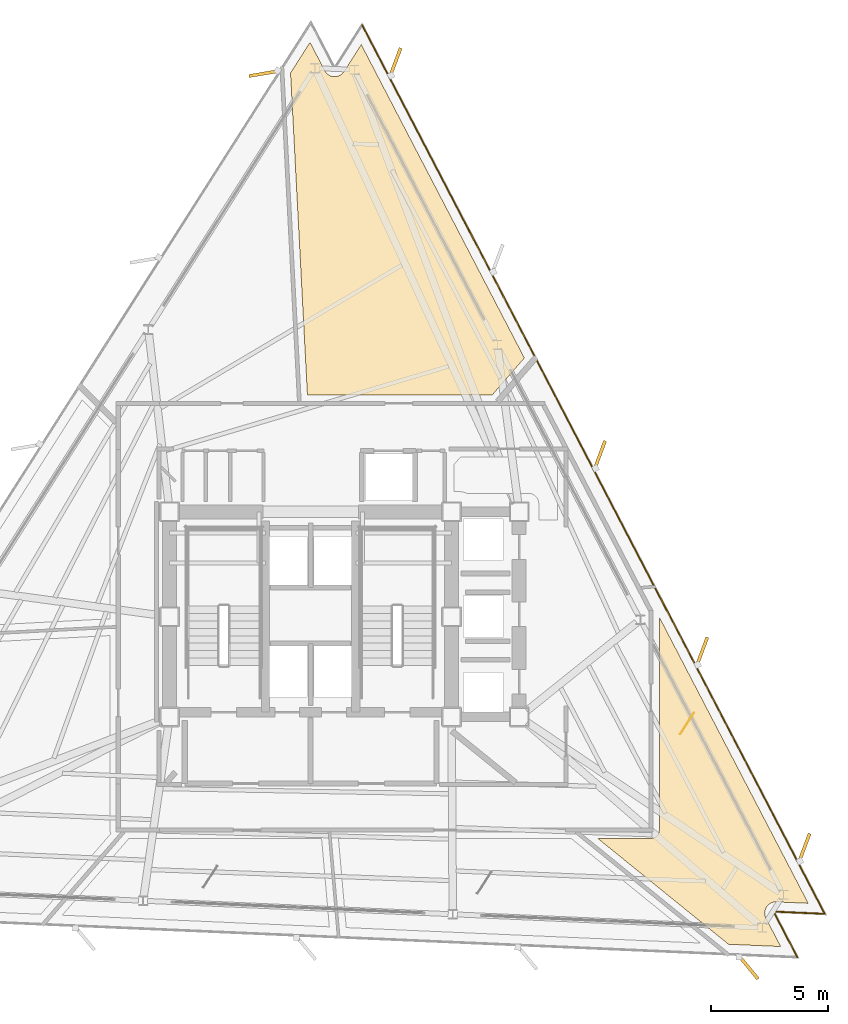
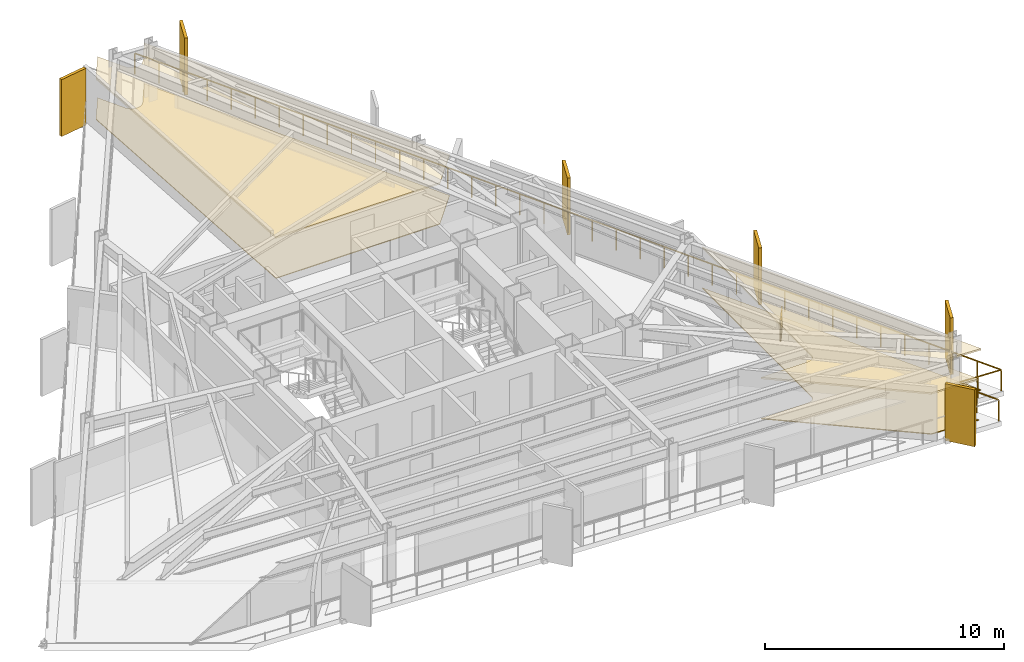
# One storey, part 12 of 12: 6 shading devices, 5 coverings, 1 railing.
"""IFC4 building model written with IfcOpenShell, lengths in metres."""

from ifc_helpers import new_model, si_unit, direction, frame, origin, origin_2d, place, context, subcontext, project, spatial, polyline, rectangle, outline, extrude, material, layer, layer_set, type_object, element, save


model = new_model("IFC4")

# Units and contexts
model_context = context("Model", 3, precision=1e-05, world=origin(), true_north=direction((0.0, 1.0)))
body_context = subcontext(model_context, "Body", "Model", "MODEL_VIEW")
ifc_project = project(units=[si_unit("LENGTHUNIT", "METRE"), si_unit("AREAUNIT", "SQUARE_METRE"), si_unit("VOLUMEUNIT", "CUBIC_METRE"), si_unit("PLANEANGLEUNIT", "RADIAN"), si_unit("MASSUNIT", "GRAM", prefix="KILO")], contexts=[model_context])

# Site, building, storey
site_placement = place(None, origin())
site = spatial("IfcSite", under=ifc_project, at=site_placement, CompositionType="ELEMENT")
building_placement = place(site_placement, origin())
building = spatial("IfcBuilding", under=site, at=building_placement, Name="Rocaltana Carrier Exchange", CompositionType="ELEMENT")
storey_placement = place(building_placement, frame((0.0, 0.0, 128.9599609375)))
storey = spatial("IfcBuildingStorey", under=building, at=storey_placement, Name="L40", CompositionType="ELEMENT", Elevation=128.9599609375)

# Coverings
ifc_material_1 = material(Name="Honed Bogota Sandstone Tile", Category="masonry")
ifc_layer_1 = layer(ifc_material_1, 0.0400390625)
ifc_layer_set_1 = layer_set([ifc_layer_1], Name="Honed Bogota Sandstone Tile")
covering_type_1 = type_object("IfcCoveringType", Name="Honed Stone Lobby Flooring 40", PredefinedType="FLOORING", material=ifc_layer_set_1)
covering_1_placement = place(storey_placement, origin())
element("IfcCovering", 1, at=covering_1_placement, inside=storey, type_object=covering_type_1, Name="L40 Carrier Peering Suite Finish Floor", PredefinedType="FLOORING", context=body_context, shape_type="SweptSolid", body=[
    extrude(outline(polyline([(14.9599609375, -0.01904296875), (21.352294921875, -12.298828125), (19.985107421875, -12.239013671875), (19.97119140625, -12.23876953125), (19.951171875, -12.239013671875), (19.92333984375, -12.240478515625), (19.903564453125, -12.24267578125), (19.8759765625, -12.246826171875), (19.8564453125, -12.2509765625), (19.829345703125, -12.258056640625), (19.810302734375, -12.263916015625), (19.7841796875, -12.273681640625), (19.765869140625, -12.281494140625), (19.740966796875, -12.2939453125), (19.723388671875, -12.303466796875), (19.69970703125, -12.318115234375), (19.683349609375, -12.32958984375), (19.6611328125, -12.3466796875), (19.64599609375, -12.359619140625), (19.62548828125, -12.378662109375), (19.61181640625, -12.392822265625), (19.593505859375, -12.4140625), (19.5810546875, -12.4296875), (19.56494140625, -12.452392578125), (19.55419921875, -12.46923828125), (19.540283203125, -12.493408203125), (19.531494140625, -12.51123046875), (19.52001953125, -12.536865234375), (19.512939453125, -12.555419921875), (19.504150390625, -12.581787109375), (19.498779296875, -12.601318359375), (19.492919921875, -12.62841796875), (19.489501953125, -12.648193359375), (19.486328125, -12.67578125), (19.48486328125, -12.69580078125), (19.484375, -12.7236328125), (19.485107421875, -12.743408203125), (19.4873046875, -12.771240234375), (19.489990234375, -12.791015625), (19.494873046875, -12.818603515625), (19.49951171875, -12.837890625), (19.507080078125, -12.86474609375), (19.513671875, -12.8837890625), (19.52392578125, -12.90966796875), (19.5322265625, -12.927734375), (19.538330078125, -12.940185546875), (20.17041015625, -14.154296875), (17.93017578125, -14.056396484375), (12.31591796875, -9.510009765625), (14.60009765625, -9.510009765625), (14.61376953125, -9.509765625), (14.62158203125, -9.50927734375), (14.64892578125, -9.506591796875), (14.65673828125, -9.50537109375), (14.68359375, -9.5), (14.69140625, -9.498291015625), (14.717529296875, -9.490234375), (14.724853515625, -9.487548828125), (14.750244140625, -9.47705078125), (14.75732421875, -9.4736328125), (14.78173828125, -9.460693359375), (14.788330078125, -9.456787109375), (14.811279296875, -9.44140625), (14.8173828125, -9.436767578125), (14.8388671875, -9.419189453125), (14.844482421875, -9.4140625), (14.864013671875, -9.39453125), (14.869384765625, -9.388916015625), (14.88671875, -9.367431640625), (14.891357421875, -9.361083984375), (14.90673828125, -9.33837890625), (14.91064453125, -9.331787109375), (14.923583984375, -9.307373046875), (14.927001953125, -9.30029296875), (14.9375, -9.27490234375), (14.940185546875, -9.267578125), (14.9482421875, -9.2412109375), (14.9501953125, -9.233642578125), (14.955322265625, -9.206787109375), (14.95654296875, -9.198974609375), (14.959228515625, -9.171630859375), (14.959716796875, -9.163818359375), (14.9599609375, -9.14990234375), (14.9599609375, -0.01904296875)])), origin(), (0.0, 0.0, 1.0), 0.0400390625),
])
covering_2_placement = place(storey_placement, origin())
element("IfcCovering", 2, at=covering_2_placement, inside=storey, type_object=covering_type_1, Name="L40 Carrier Peering Suite Finish Floor", PredefinedType="FLOORING", context=body_context, shape_type="SweptSolid", body=[
    extrude(outline(polyline([(-0.025146484375, 24.64111328125), (0.606689453125, 23.42724609375), (0.613525390625, 23.4150390625), (0.62353515625, 23.397705078125), (0.638916015625, 23.37451171875), (0.650634765625, 23.3583984375), (0.668212890625, 23.336669921875), (0.681396484375, 23.32177734375), (0.700927734375, 23.3017578125), (0.7158203125, 23.288330078125), (0.7373046875, 23.2705078125), (0.753173828125, 23.258544921875), (0.7763671875, 23.242919921875), (0.79345703125, 23.232666015625), (0.818115234375, 23.219482421875), (0.8359375, 23.2109375), (0.86181640625, 23.2001953125), (0.880615234375, 23.193603515625), (0.9072265625, 23.185546875), (0.9267578125, 23.180908203125), (0.9541015625, 23.17529296875), (0.973876953125, 23.172607421875), (1.001708984375, 23.169921875), (1.021484375, 23.169189453125), (1.04931640625, 23.169189453125), (1.0693359375, 23.17041015625), (1.09716796875, 23.17333984375), (1.11669921875, 23.176513671875), (1.14404296875, 23.18212890625), (1.163330078125, 23.18701171875), (1.18994140625, 23.195556640625), (1.208740234375, 23.202392578125), (1.234375, 23.21337890625), (1.252197265625, 23.22216796875), (1.276611328125, 23.235595703125), (1.293701171875, 23.24609375), (1.316650390625, 23.26220703125), (1.33251953125, 23.2744140625), (1.353759765625, 23.292236328125), (1.368408203125, 23.305908203125), (1.3876953125, 23.326171875), (1.400634765625, 23.341064453125), (1.41796875, 23.363037109375), (1.429443359375, 23.37939453125), (1.437255859375, 23.390869140625), (2.172607421875, 24.545166015625), (9.171875, 11.099853515625), (7.789794921875, 9.510009765625), (-0.137939453125, 9.510009765625), (-0.862060546875, 23.32763671875), (-0.025146484375, 24.64111328125)])), origin(), (0.0, 0.0, 1.0), 0.0400390625),
])
ifc_material_2 = material(Name="Anodised Aluminium 6063-T6", Category="aluminium")
ifc_layer_2 = layer(ifc_material_2, 0.0849609375)
ifc_layer_set_2 = layer_set([ifc_layer_2], Name="Anodised Aluminium 6063-T6")
covering_type_2 = type_object("IfcCoveringType", Name="Linear Baffle Acoustic Ceiling 85", PredefinedType="CEILING", material=ifc_layer_set_2)
covering_3_placement = place(storey_placement, frame((0.0, 0.0, 2.052978515625)))
element("IfcCovering", 3, at=covering_3_placement, inside=storey, type_object=covering_type_2, Name="L40 Carrier Peering Suite Acoustic Ceiling", PredefinedType="CEILING", context=body_context, shape_type="SweptSolid", body=[
    extrude(outline(polyline([(14.9599609375, -0.01904296875), (21.352294921875, -12.298828125), (19.985107421875, -12.239013671875), (19.97119140625, -12.23876953125), (19.951171875, -12.239013671875), (19.92333984375, -12.240478515625), (19.903564453125, -12.24267578125), (19.8759765625, -12.246826171875), (19.8564453125, -12.2509765625), (19.829345703125, -12.258056640625), (19.810302734375, -12.263916015625), (19.7841796875, -12.273681640625), (19.765869140625, -12.281494140625), (19.740966796875, -12.2939453125), (19.723388671875, -12.303466796875), (19.69970703125, -12.318115234375), (19.683349609375, -12.32958984375), (19.6611328125, -12.3466796875), (19.64599609375, -12.359619140625), (19.62548828125, -12.378662109375), (19.61181640625, -12.392822265625), (19.593505859375, -12.4140625), (19.5810546875, -12.4296875), (19.56494140625, -12.452392578125), (19.55419921875, -12.46923828125), (19.540283203125, -12.493408203125), (19.531494140625, -12.51123046875), (19.52001953125, -12.536865234375), (19.512939453125, -12.555419921875), (19.504150390625, -12.581787109375), (19.498779296875, -12.601318359375), (19.492919921875, -12.62841796875), (19.489501953125, -12.648193359375), (19.486328125, -12.67578125), (19.48486328125, -12.69580078125), (19.484375, -12.7236328125), (19.485107421875, -12.743408203125), (19.4873046875, -12.771240234375), (19.489990234375, -12.791015625), (19.494873046875, -12.818603515625), (19.49951171875, -12.837890625), (19.507080078125, -12.86474609375), (19.513671875, -12.8837890625), (19.52392578125, -12.90966796875), (19.5322265625, -12.927734375), (19.538330078125, -12.940185546875), (20.17041015625, -14.154296875), (17.93017578125, -14.056396484375), (12.31591796875, -9.510009765625), (14.60009765625, -9.510009765625), (14.61376953125, -9.509765625), (14.62158203125, -9.50927734375), (14.64892578125, -9.506591796875), (14.65673828125, -9.50537109375), (14.68359375, -9.5), (14.69140625, -9.498291015625), (14.717529296875, -9.490234375), (14.724853515625, -9.487548828125), (14.750244140625, -9.47705078125), (14.75732421875, -9.4736328125), (14.78173828125, -9.460693359375), (14.788330078125, -9.456787109375), (14.811279296875, -9.44140625), (14.8173828125, -9.436767578125), (14.8388671875, -9.419189453125), (14.844482421875, -9.4140625), (14.864013671875, -9.39453125), (14.869384765625, -9.388916015625), (14.88671875, -9.367431640625), (14.891357421875, -9.361083984375), (14.90673828125, -9.33837890625), (14.91064453125, -9.331787109375), (14.923583984375, -9.307373046875), (14.927001953125, -9.30029296875), (14.9375, -9.27490234375), (14.940185546875, -9.267578125), (14.9482421875, -9.2412109375), (14.9501953125, -9.233642578125), (14.955322265625, -9.206787109375), (14.95654296875, -9.198974609375), (14.959228515625, -9.171630859375), (14.959716796875, -9.163818359375), (14.9599609375, -9.14990234375), (14.9599609375, -0.01904296875)])), origin(), (0.0, 0.0, 1.0), 0.0849609375),
])
covering_4_placement = place(storey_placement, frame((0.0, 0.0, 2.052978515625)))
element("IfcCovering", 4, at=covering_4_placement, inside=storey, type_object=covering_type_2, Name="L40 Carrier Peering Suite Acoustic Ceiling", PredefinedType="CEILING", context=body_context, shape_type="SweptSolid", body=[
    extrude(outline(polyline([(-0.025146484375, 24.64111328125), (0.606689453125, 23.42724609375), (0.613525390625, 23.4150390625), (0.62353515625, 23.397705078125), (0.638916015625, 23.37451171875), (0.650634765625, 23.3583984375), (0.668212890625, 23.336669921875), (0.681396484375, 23.32177734375), (0.700927734375, 23.3017578125), (0.7158203125, 23.288330078125), (0.7373046875, 23.2705078125), (0.753173828125, 23.258544921875), (0.7763671875, 23.242919921875), (0.79345703125, 23.232666015625), (0.818115234375, 23.219482421875), (0.8359375, 23.2109375), (0.86181640625, 23.2001953125), (0.880615234375, 23.193603515625), (0.9072265625, 23.185546875), (0.9267578125, 23.180908203125), (0.9541015625, 23.17529296875), (0.973876953125, 23.172607421875), (1.001708984375, 23.169921875), (1.021484375, 23.169189453125), (1.04931640625, 23.169189453125), (1.0693359375, 23.17041015625), (1.09716796875, 23.17333984375), (1.11669921875, 23.176513671875), (1.14404296875, 23.18212890625), (1.163330078125, 23.18701171875), (1.18994140625, 23.195556640625), (1.208740234375, 23.202392578125), (1.234375, 23.21337890625), (1.252197265625, 23.22216796875), (1.276611328125, 23.235595703125), (1.293701171875, 23.24609375), (1.316650390625, 23.26220703125), (1.33251953125, 23.2744140625), (1.353759765625, 23.292236328125), (1.368408203125, 23.305908203125), (1.3876953125, 23.326171875), (1.400634765625, 23.341064453125), (1.41796875, 23.363037109375), (1.429443359375, 23.37939453125), (1.437255859375, 23.390869140625), (2.172607421875, 24.545166015625), (9.171875, 11.099853515625), (7.789794921875, 9.510009765625), (-0.137939453125, 9.510009765625), (-0.862060546875, 23.32763671875), (-0.025146484375, 24.64111328125)])), origin(), (0.0, 0.0, 1.0), 0.0849609375),
])
ifc_material_3 = material(Name="Honed Piedra Muneca Sandstone", Category="masonry")
ifc_layer_3 = layer(ifc_material_3, 0.034912109375)
ifc_layer_set_3 = layer_set([ifc_layer_3], Name="Honed Piedra Muneca Sandstone")
covering_type_3 = type_object("IfcCoveringType", Name="Stone Facade Cladding 35", PredefinedType="CLADDING", material=ifc_layer_set_3)
covering_5_placement = place(storey_placement, frame((16.148193359375, -4.58447265625, 0.0), z_axis=(0.0, 0.0, 1.0), x_axis=(0.544639035015, 0.838670567945, 0.0)))
element("IfcCovering", 5, at=covering_5_placement, inside=storey, type_object=covering_type_3, Name="L40 Stone Facade Cladding Panel 5", PredefinedType="CLADDING", context=body_context, shape_type="SweptSolid", body=[
    extrude(rectangle(XDim=1.10009765625, YDim=0.034912109375, at=origin_2d()), origin(), (0.0, 0.0, 1.0), 1.050048828125),
])

# Shading devices
ifc_material_4 = material(Name="Honed Bogota Sandstone & Concrete C45/55", Category="masonry")
ifc_layer_4 = layer(ifc_material_4, 0.139892578125)
ifc_layer_set_4 = layer_set([ifc_layer_4], Name="Honed Bogota Sandstone & Concrete C45/55")
shading_device_type = type_object("IfcShadingDeviceType", Name="Vertical Sandstone Shading Fin 1320x140", PredefinedType="USERDEFINED", material=ifc_layer_set_4)
for number, where, z_axis, x_axis, name in (
    (6, (21.1787109375, -9.927490234375, -0.1201171875), (0.0, 0.0, 1.0), (0.350207381259, 0.936672189248, 0.0), "L40 Sandstone Vertical Fin F1-01"),
    (7, (16.7919921875, -1.5009765625, -0.1201171875), (0.0, 0.0, 1.0), (0.350207381259, 0.936672189248, 0.0), "L40 Sandstone Vertical Fin F1-02"),
    (8, (12.405517578125, 6.925537109375, -0.1201171875), (0.0, 0.0, 1.0), (0.350207381259, 0.936672189248, 0.0), "L40 Sandstone Vertical Fin F1-03"),
    (9, (3.63232421875, 23.77880859375, -0.1201171875), (0.0, 0.0, 1.0), (0.350207381259, 0.936672189248, 0.0), "L40 Sandstone Vertical Fin F1-05"),
    (10, (-1.99169921875, 23.30517578125, -0.1201171875), (0.0, 0.0, 1.0), (-0.986285601537, -0.165047605861, 0.0), "L40 Sandstone Vertical Fin F2-01"),
    (11, (18.77685546875, -15.034912109375, -0.1201171875), (0.0, 0.0, 1.0), (0.636078220278, -0.771624583388, 0.0), "L40 Sandstone Vertical Fin F3-05"),
):
    element("IfcShadingDevice", number, at=place(storey_placement, frame(where, z_axis=z_axis, x_axis=x_axis)), inside=storey, type_object=shading_device_type, Name=name, ObjectType="FIN", PredefinedType="USERDEFINED", context=body_context, shape_type="SweptSolid", body=[
        extrude(rectangle(XDim=1.320068359375, YDim=0.139892578125, at=origin_2d()), origin(), (0.0, 0.0, 1.0), 2.907958984375),
    ])

# Railing
ifc_material_5 = material(Name="Powder-Coated Aluminium 6063-T6", Category="aluminium")
ifc_layer_5 = layer(ifc_material_5, 0.06005859375)
ifc_layer_set_5 = layer_set([ifc_layer_5], Name="Powder-Coated Aluminium 6063-T6")
railing_type = type_object("IfcRailingType", Name="Wind-Floor & Terrace Perimeter Guardrail 1100", PredefinedType="GUARDRAIL", material=ifc_layer_set_5)
railing_placement = place(storey_placement, frame((2.20947265625, 25.384521484375, 0.0)))
element("IfcRailing", 12, at=railing_placement, inside=storey, type_object=railing_type, Name="L40 Perimeter Balcony Guardrail 3", PredefinedType="GUARDRAIL", context=body_context, shape_type="SweptSolid", body=[
    extrude(rectangle(XDim=0.048095703125, YDim=0.048095703125, at=origin_2d()), frame((0.0, 0.0, 1.076171875), z_axis=(0.461743909672, -0.887013281682, 0.0), x_axis=(0.887013281682, 0.461743909672, 0.0)), (0.0, 0.0, 1.0), 42.991943359375),
    extrude(rectangle(XDim=0.048095703125, YDim=0.048095703125, at=origin_2d()), frame((19.851318359375, -38.134521484375, 1.076171875), z_axis=(-0.999048394753, 0.043615420922, 0.0), x_axis=(-0.043615420922, -0.999048394753, 0.0)), (0.0, 0.0, 1.0), 2.199951171875),
    extrude(rectangle(XDim=0.048095703125, YDim=0.048095703125, at=origin_2d()), frame((17.653564453125, -38.03857421875, 1.076171875), z_axis=(0.461758004933, -0.887005944107, 0.0), x_axis=(0.887005944107, 0.461758004933, 0.0)), (0.0, 0.0, 1.0), 2.199951171875),
    extrude(rectangle(XDim=0.0419921875, YDim=0.0419921875, at=origin_2d()), origin(), (0.0, 0.0, 1.0), 1.052001953125),
    extrude(rectangle(XDim=0.0419921875, YDim=0.0419921875, at=origin_2d()), frame((0.551513671875, -1.059326171875, 0.0)), (0.0, 0.0, 1.0), 1.052001953125),
    extrude(rectangle(XDim=0.0419921875, YDim=0.0419921875, at=origin_2d()), frame((1.102783203125, -2.11865234375, 0.0)), (0.0, 0.0, 1.0), 1.052001953125),
    extrude(rectangle(XDim=0.0419921875, YDim=0.0419921875, at=origin_2d()), frame((1.654296875, -3.177978515625, 0.0)), (0.0, 0.0, 1.0), 1.052001953125),
    extrude(rectangle(XDim=0.0419921875, YDim=0.0419921875, at=origin_2d()), frame((2.205810546875, -4.237060546875, 0.0)), (0.0, 0.0, 1.0), 1.052001953125),
    extrude(rectangle(XDim=0.0419921875, YDim=0.0419921875, at=origin_2d()), frame((2.757080078125, -5.29638671875, 0.0)), (0.0, 0.0, 1.0), 1.052001953125),
    extrude(rectangle(XDim=0.0419921875, YDim=0.0419921875, at=origin_2d()), frame((3.30859375, -6.355712890625, 0.0)), (0.0, 0.0, 1.0), 1.052001953125),
    extrude(rectangle(XDim=0.0419921875, YDim=0.0419921875, at=origin_2d()), frame((3.85986328125, -7.4150390625, 0.0)), (0.0, 0.0, 1.0), 1.052001953125),
    extrude(rectangle(XDim=0.0419921875, YDim=0.0419921875, at=origin_2d()), frame((4.411376953125, -8.474365234375, 0.0)), (0.0, 0.0, 1.0), 1.052001953125),
    extrude(rectangle(XDim=0.0419921875, YDim=0.0419921875, at=origin_2d()), frame((4.962890625, -9.53369140625, 0.0)), (0.0, 0.0, 1.0), 1.052001953125),
    extrude(rectangle(XDim=0.0419921875, YDim=0.0419921875, at=origin_2d()), frame((5.51416015625, -10.593017578125, 0.0)), (0.0, 0.0, 1.0), 1.052001953125),
    extrude(rectangle(XDim=0.0419921875, YDim=0.0419921875, at=origin_2d()), frame((6.065673828125, -11.652099609375, 0.0)), (0.0, 0.0, 1.0), 1.052001953125),
    extrude(rectangle(XDim=0.0419921875, YDim=0.0419921875, at=origin_2d()), frame((6.6171875, -12.71142578125, 0.0)), (0.0, 0.0, 1.0), 1.052001953125),
    extrude(rectangle(XDim=0.0419921875, YDim=0.0419921875, at=origin_2d()), frame((7.16845703125, -13.770751953125, 0.0)), (0.0, 0.0, 1.0), 1.052001953125),
    extrude(rectangle(XDim=0.0419921875, YDim=0.0419921875, at=origin_2d()), frame((7.719970703125, -14.830078125, 0.0)), (0.0, 0.0, 1.0), 1.052001953125),
    extrude(rectangle(XDim=0.0419921875, YDim=0.0419921875, at=origin_2d()), frame((8.271484375, -15.889404296875, 0.0)), (0.0, 0.0, 1.0), 1.052001953125),
    extrude(rectangle(XDim=0.0419921875, YDim=0.0419921875, at=origin_2d()), frame((8.82275390625, -16.94873046875, 0.0)), (0.0, 0.0, 1.0), 1.052001953125),
    extrude(rectangle(XDim=0.0419921875, YDim=0.0419921875, at=origin_2d()), frame((9.374267578125, -18.008056640625, 0.0)), (0.0, 0.0, 1.0), 1.052001953125),
    extrude(rectangle(XDim=0.0419921875, YDim=0.0419921875, at=origin_2d()), frame((9.92578125, -19.0673828125, 0.0)), (0.0, 0.0, 1.0), 1.052001953125),
    extrude(rectangle(XDim=0.0419921875, YDim=0.0419921875, at=origin_2d()), frame((10.47705078125, -20.12646484375, 0.0)), (0.0, 0.0, 1.0), 1.052001953125),
    extrude(rectangle(XDim=0.0419921875, YDim=0.0419921875, at=origin_2d()), frame((11.028564453125, -21.185791015625, 0.0)), (0.0, 0.0, 1.0), 1.052001953125),
    extrude(rectangle(XDim=0.0419921875, YDim=0.0419921875, at=origin_2d()), frame((11.579833984375, -22.2451171875, 0.0)), (0.0, 0.0, 1.0), 1.052001953125),
    extrude(rectangle(XDim=0.0419921875, YDim=0.0419921875, at=origin_2d()), frame((12.13134765625, -23.304443359375, 0.0)), (0.0, 0.0, 1.0), 1.052001953125),
    extrude(rectangle(XDim=0.0419921875, YDim=0.0419921875, at=origin_2d()), frame((12.682861328125, -24.36376953125, 0.0)), (0.0, 0.0, 1.0), 1.052001953125),
    extrude(rectangle(XDim=0.0419921875, YDim=0.0419921875, at=origin_2d()), frame((13.234130859375, -25.423095703125, 0.0)), (0.0, 0.0, 1.0), 1.052001953125),
    extrude(rectangle(XDim=0.0419921875, YDim=0.0419921875, at=origin_2d()), frame((13.78564453125, -26.482421875, 0.0)), (0.0, 0.0, 1.0), 1.052001953125),
    extrude(rectangle(XDim=0.0419921875, YDim=0.0419921875, at=origin_2d()), frame((14.337158203125, -27.54150390625, 0.0)), (0.0, 0.0, 1.0), 1.052001953125),
    extrude(rectangle(XDim=0.0419921875, YDim=0.0419921875, at=origin_2d()), frame((14.888427734375, -28.600830078125, 0.0)), (0.0, 0.0, 1.0), 1.052001953125),
    extrude(rectangle(XDim=0.0419921875, YDim=0.0419921875, at=origin_2d()), frame((15.43994140625, -29.66015625, 0.0)), (0.0, 0.0, 1.0), 1.052001953125),
    extrude(rectangle(XDim=0.0419921875, YDim=0.0419921875, at=origin_2d()), frame((15.991455078125, -30.719482421875, 0.0)), (0.0, 0.0, 1.0), 1.052001953125),
    extrude(rectangle(XDim=0.0419921875, YDim=0.0419921875, at=origin_2d()), frame((16.542724609375, -31.77880859375, 0.0)), (0.0, 0.0, 1.0), 1.052001953125),
    extrude(rectangle(XDim=0.0419921875, YDim=0.0419921875, at=origin_2d()), frame((17.09423828125, -32.838134765625, 0.0)), (0.0, 0.0, 1.0), 1.052001953125),
    extrude(rectangle(XDim=0.0419921875, YDim=0.0419921875, at=origin_2d()), frame((17.6455078125, -33.8974609375, 0.0)), (0.0, 0.0, 1.0), 1.052001953125),
    extrude(rectangle(XDim=0.0419921875, YDim=0.0419921875, at=origin_2d()), frame((18.197021484375, -34.95654296875, 0.0)), (0.0, 0.0, 1.0), 1.052001953125),
    extrude(rectangle(XDim=0.0419921875, YDim=0.0419921875, at=origin_2d()), frame((18.74853515625, -36.015869140625, 0.0)), (0.0, 0.0, 1.0), 1.052001953125),
    extrude(rectangle(XDim=0.0419921875, YDim=0.0419921875, at=origin_2d()), frame((19.2998046875, -37.0751953125, 0.0)), (0.0, 0.0, 1.0), 1.052001953125),
    extrude(rectangle(XDim=0.0419921875, YDim=0.0419921875, at=origin_2d()), frame((19.851318359375, -38.134521484375, 0.0)), (0.0, 0.0, 1.0), 1.052001953125),
    extrude(rectangle(XDim=0.0419921875, YDim=0.0419921875, at=origin_2d()), frame((18.75244140625, -38.08642578125, 0.0)), (0.0, 0.0, 1.0), 1.052001953125),
    extrude(rectangle(XDim=0.0419921875, YDim=0.0419921875, at=origin_2d()), frame((17.653564453125, -38.03857421875, 0.0)), (0.0, 0.0, 1.0), 1.052001953125),
    extrude(rectangle(XDim=0.0419921875, YDim=0.0419921875, at=origin_2d()), frame((18.16162109375, -39.01416015625, 0.0)), (0.0, 0.0, 1.0), 1.052001953125),
    extrude(rectangle(XDim=0.0419921875, YDim=0.0419921875, at=origin_2d()), frame((18.66943359375, -39.989990234375, 0.0)), (0.0, 0.0, 1.0), 1.052001953125),
])

save(model, "model.ifc")
